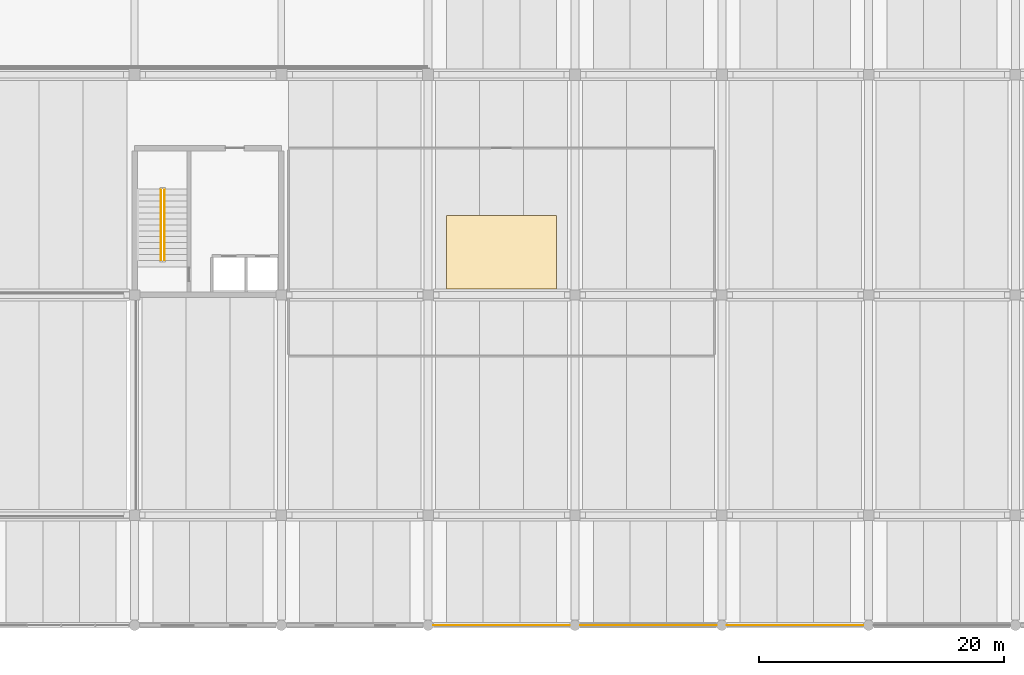
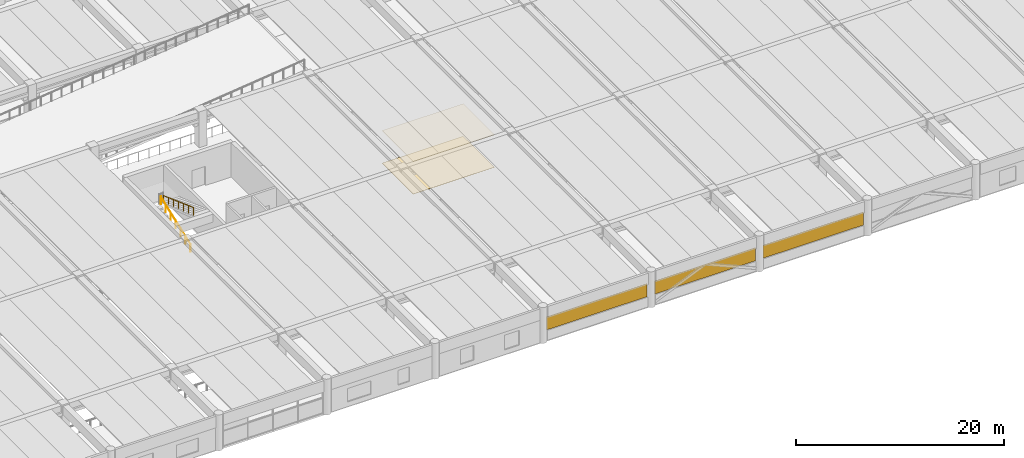
# One storey, part 45 of 50: 3 shading devices, 2 coverings, 2 railings.
"""IFC4 building model written with IfcOpenShell, lengths in metres."""

import ifcopenshell
import ifcopenshell.guid

model = None  # the IFC model being written
_history = None  # IfcOwnerHistory: only IFC2X3 demands one
_inside = {}  # id of a spatial element -> (the spatial element, [elements in it])
_under = {}  # id of a project, library or spatial element -> (it, [spatial elements below it])
_declared = {}  # id of a project -> (the project, [libraries it declares])
_typed = {}  # id of a type object -> (the type object, [elements of that type])
_made_of = {}  # id of a material, layer set ... -> (it, [elements and type objects made of it])


def new_model(schema):
    """Start an empty IFC model of exactly this schema.

    Asked for "IFC4X3", IfcOpenShell would pick the latest addendum, in which some entities
    have other attributes; the version numbers below select the first issue.
    IFC2X3 requires an IfcOwnerHistory on every rooted entity: one is made here for all.
    """
    global model, _history
    if schema == "IFC4X3":
        model = ifcopenshell.file(schema_version=(4, 3, 0, 0))
    else:
        model = ifcopenshell.file(schema=schema)
    _inside.clear()
    _under.clear()
    _declared.clear()
    _typed.clear()
    _made_of.clear()
    _history = None
    if model.schema == "IFC2X3":
        org = make("IfcOrganization", Name="unknown")
        user = make(
            "IfcPersonAndOrganization",
            ThePerson=make("IfcPerson", FamilyName="unknown"),
            TheOrganization=org,
        )
        app = make(
            "IfcApplication",
            ApplicationDeveloper=org,
            Version="unknown",
            ApplicationFullName="unknown",
            ApplicationIdentifier="unknown",
        )
        _history = make(
            "IfcOwnerHistory",
            OwningUser=user,
            OwningApplication=app,
            ChangeAction="ADDED",
            CreationDate=0,
        )
    return model


def make(cls, **values):
    """One entity of the class cls with the attributes given. An attribute that is None is left unset."""
    return model.create_entity(
        cls, **{name: value for name, value in values.items() if value is not None}
    )


def rooted(cls, **values):
    """An entity with a GlobalId (a new one), such as an element, a storey or a relation."""
    return make(cls, GlobalId=ifcopenshell.guid.new(), OwnerHistory=_history, **values)


def si_unit(unit_type, name, prefix=None):
    """IfcSIUnit, for example si_unit("LENGTHUNIT", "METRE", prefix="MILLI")."""
    return make("IfcSIUnit", UnitType=unit_type, Prefix=prefix, Name=name)


def assignment(units):
    """IfcUnitAssignment: the units of a project."""
    return None if units is None else make("IfcUnitAssignment", Units=units)


def point(xyz):
    """IfcCartesianPoint."""
    return None if xyz is None else make("IfcCartesianPoint", Coordinates=xyz)


def direction(xyz):
    """IfcDirection."""
    return None if xyz is None else make("IfcDirection", DirectionRatios=xyz)


def frame(location, z_axis=None, x_axis=None):
    """IfcAxis2Placement3D, a coordinate frame: its origin and axes. An axis left out is left unset."""
    return make(
        "IfcAxis2Placement3D",
        Location=point(location),
        Axis=direction(z_axis),
        RefDirection=direction(x_axis),
    )


def frame_2d(location, x_axis=None):
    """IfcAxis2Placement2D, a coordinate frame in the plane: its origin and x axis."""
    return make(
        "IfcAxis2Placement2D", Location=point(location), RefDirection=direction(x_axis)
    )


def origin():
    """The frame at (0, 0, 0) with its axes left unset."""
    return frame((0.0, 0.0, 0.0))


def origin_2d():
    """The frame at (0, 0) in the plane with its x axis left unset."""
    return frame_2d((0.0, 0.0))


def place(relative_to, where):
    """IfcLocalPlacement: puts the frame where relative to a parent placement (None: the world)."""
    return make(
        "IfcLocalPlacement", PlacementRelTo=relative_to, RelativePlacement=where
    )


def context(
    kind, dimensions, precision=None, world=None, true_north=None, identifier=None
):
    """IfcGeometricRepresentationContext, for example the 3D "Model" context."""
    return make(
        "IfcGeometricRepresentationContext",
        ContextIdentifier=identifier,
        ContextType=kind,
        CoordinateSpaceDimension=dimensions,
        Precision=precision,
        WorldCoordinateSystem=world,
        TrueNorth=true_north,
    )


def subcontext(parent, identifier, kind, view, scale=None):
    """IfcGeometricRepresentationSubContext, for example "Body" below "Model"."""
    return make(
        "IfcGeometricRepresentationSubContext",
        ContextIdentifier=identifier,
        ContextType=kind,
        ParentContext=parent,
        TargetScale=scale,
        TargetView=view,
    )


def project(units=None, contexts=None):
    """IfcProject with its units and contexts."""
    return rooted(
        "IfcProject",
        Name="project",
        RepresentationContexts=contexts,
        UnitsInContext=assignment(units),
    )


def spatial(cls, under=None, at=None, **own):
    """A site, building, storey or space (cls), placed at a placement, below another one or the project."""
    s = rooted(cls, ObjectPlacement=at, **own)
    if under is not None:
        _under.setdefault(under.id(), (under, []))[1].append(s)
    return s


def profile(cls, at=None, kind="AREA", **sizes):
    """A parametric profile (cls). Its sizes go by their IFC names, for example OverallWidth=200.0."""
    return make(cls, ProfileType=kind, Position=at, **sizes)


def rectangle(**sizes):
    """IfcRectangleProfileDef."""
    return profile("IfcRectangleProfileDef", **sizes)


def circle(**sizes):
    """IfcCircleProfileDef."""
    return profile("IfcCircleProfileDef", **sizes)


def extrude(swept, where, along, depth):
    """IfcExtrudedAreaSolid: the profile swept, set in the frame where, extruded along a direction by depth."""
    return make(
        "IfcExtrudedAreaSolid",
        SweptArea=swept,
        Position=where,
        ExtrudedDirection=direction(along),
        Depth=depth,
    )


def shape(context_of_items, identifier, shape_type, items):
    """IfcShapeRepresentation: the items that make up one representation, for example the "Body"."""
    return make(
        "IfcShapeRepresentation",
        ContextOfItems=context_of_items,
        RepresentationIdentifier=identifier,
        RepresentationType=shape_type,
        Items=items,
    )


def material(Name=None, Category=None):
    """IfcMaterial."""
    return make("IfcMaterial", Name=Name, Category=Category)


def layer(
    of_material, thickness, ventilated=None, Name=None, Category=None, Priority=None
):
    """IfcMaterialLayer: one layer of a wall or slab, of a material (None: an air gap)."""
    return make(
        "IfcMaterialLayer",
        Material=of_material,
        LayerThickness=thickness,
        IsVentilated=ventilated,
        Name=Name,
        Category=Category,
        Priority=Priority,
    )


def layer_set(layers, Name=None):
    """IfcMaterialLayerSet."""
    return make("IfcMaterialLayerSet", MaterialLayers=layers, LayerSetName=Name)


def made_of(thing, what):
    """Note that an element or type object is made of a material, layer set ...; save() writes the relation."""
    if what is not None:
        _made_of.setdefault(what.id(), (what, []))[1].append(thing)
    return thing


def type_object(cls, material=None, **own):
    """A type object (cls), such as IfcWallType, which elements share."""
    return made_of(rooted(cls, **own), material)


def element(
    cls,
    number,
    at=None,
    inside=None,
    cuts=None,
    type_object=None,
    material=None,
    context=None,
    identifier="Body",
    shape_type=None,
    held_by="IfcProductDefinitionShape",
    body=None,
    shapes=None,
    **own,
):
    """One element of the class cls, such as IfcWall. Its Tag is "e" and its number.

    at: its placement. inside: the storey or other place that contains it. cuts: it is an
    opening in that element (IfcRelVoidsElement). A single representation is given by context,
    identifier, shape_type and body (its items); several are given by shapes. held_by: the class
    of the entity that holds the representations. save() writes the other relations.
    """
    e = rooted(cls, Tag="e%d" % number, ObjectPlacement=at, **own)
    if body is not None:
        shapes = [shape(context, identifier, shape_type, body)]
    if shapes is not None:
        e.Representation = make(held_by, Representations=shapes)
    if inside is not None:
        _inside.setdefault(inside.id(), (inside, []))[1].append(e)
    if cuts is not None:
        rooted(
            "IfcRelVoidsElement", RelatingBuildingElement=cuts, RelatedOpeningElement=e
        )
    if type_object is not None:
        _typed.setdefault(type_object.id(), (type_object, []))[1].append(e)
    return made_of(e, material)


def aggregate(whole, parts):
    """IfcRelAggregates: a whole, such as a stair, and the parts it consists of."""
    return rooted("IfcRelAggregates", RelatingObject=whole, RelatedObjects=parts)


def save(model, path):
    """Write the relations noted so far, then the file.

    IfcRelAggregates (storeys below a building ...), IfcRelContainedInSpatialStructure (elements
    in a storey), IfcRelDefinesByType, IfcRelAssociatesMaterial and IfcRelDeclares: one each for
    every whole, place, type object, material and project.
    """
    for whole, parts in _under.values():
        aggregate(whole, parts)
    for where, things in _inside.values():
        rooted(
            "IfcRelContainedInSpatialStructure",
            RelatedElements=things,
            RelatingStructure=where,
        )
    for kind, things in _typed.values():
        rooted("IfcRelDefinesByType", RelatedObjects=things, RelatingType=kind)
    for what, things in _made_of.values():
        rooted("IfcRelAssociatesMaterial", RelatedObjects=things, RelatingMaterial=what)
    for by, libraries in _declared.values():
        rooted("IfcRelDeclares", RelatingContext=by, RelatedDefinitions=libraries)
    model.write(path)


model = new_model("IFC4")

# Units and contexts
model_context = context("Model", 3, precision=1e-05, world=origin(), true_north=direction((0.0, 1.0)))
body_context = subcontext(model_context, "Body", "Model", "MODEL_VIEW")
ifc_project = project(units=[si_unit("LENGTHUNIT", "METRE"), si_unit("AREAUNIT", "SQUARE_METRE"), si_unit("VOLUMEUNIT", "CUBIC_METRE"), si_unit("PLANEANGLEUNIT", "RADIAN"), si_unit("MASSUNIT", "GRAM", prefix="KILO")], contexts=[model_context])

# Site, building, storey
site_placement = place(None, origin())
site = spatial("IfcSite", under=ifc_project, at=site_placement, CompositionType="ELEMENT")
building_placement = place(site_placement, origin())
building = spatial("IfcBuilding", under=site, at=building_placement, Name="Girod Span Mobility Hub", CompositionType="ELEMENT")
storey_placement = place(building_placement, frame((0.0, 0.0, 5.39990234375)))
storey = spatial("IfcBuildingStorey", under=building, at=storey_placement, Name="L01", CompositionType="ELEMENT", Elevation=5.39990234375)

# Coverings
ifc_material_1 = material(Name="Perforated Mineral-Fibre Acoustic Ceiling Tile", Category="mineral")
ifc_layer_1 = layer(ifc_material_1, 0.044921875)
ifc_layer_set_1 = layer_set([ifc_layer_1], Name="Perforated Mineral-Fibre Acoustic Ceiling Tile")
covering_type_1 = type_object("IfcCoveringType", Name="COV-CLG-900X600", PredefinedType="CEILING", material=ifc_layer_set_1)
covering_1_placement = place(storey_placement, frame((102.0, 30.5, 3.80517578125), z_axis=(0.0, 0.0, 1.0), x_axis=(1.0, 0.0, 0.0)))
element("IfcCovering", 1, at=covering_1_placement, inside=storey, type_object=covering_type_1, Name="Transit Concourse Overlook Lounge Acoustic Ceiling", PredefinedType="CEILING", context=body_context, shape_type="SweptSolid", body=[
    extrude(rectangle(XDim=9.0, YDim=6.0, at=origin_2d()), origin(), (0.0, 0.0, 1.0), 0.044921875),
])
ifc_material_2 = material(Name="Epoxy Terrazzo and Raised Access Flooring", Category="polymer")
ifc_layer_2 = layer(ifc_material_2, 0.030029296875)
ifc_layer_set_2 = layer_set([ifc_layer_2], Name="Epoxy Terrazzo and Raised Access Flooring")
covering_type_2 = type_object("IfcCoveringType", Name="COV-FLR-900X600", PredefinedType="FLOORING", material=ifc_layer_set_2)
covering_2_placement = place(storey_placement, frame((102.0, 30.5, 0.0), z_axis=(0.0, 0.0, 1.0), x_axis=(1.0, 0.0, 0.0)))
element("IfcCovering", 2, at=covering_2_placement, inside=storey, type_object=covering_type_2, Name="Transit Concourse Overlook Lounge Floor Finish", PredefinedType="FLOORING", context=body_context, shape_type="SweptSolid", body=[
    extrude(rectangle(XDim=9.0, YDim=6.0, at=origin_2d()), origin(), (0.0, 0.0, 1.0), 0.030029296875),
])

# Railings
ifc_material_3 = material(Name="Painted Galvanised Steel", Category="steel")
ifc_layer_3 = layer(ifc_material_3, 0.050048828125)
ifc_layer_set_3 = layer_set([ifc_layer_3], Name="Painted Galvanised Steel")
railing_type = type_object("IfcRailingType", Name="RL-HR-920", PredefinedType="HANDRAIL", material=ifc_layer_set_3)
railing_1_placement = place(storey_placement, frame((74.14990234375, 29.860107421875, 0.0)))
element("IfcRailing", 3, at=railing_1_placement, inside=storey, type_object=railing_type, Name="Stair ST-3 Flight 1 Handrail L01", PredefinedType="HANDRAIL", context=body_context, shape_type="SweptSolid", body=[
    extrude(circle(Radius=0.02392578125, at=origin_2d()), frame((0.0, 0.0, 0.89599609375), z_axis=(0.0, 0.939310406204, 0.343068449141), x_axis=(-1.0, 0.0, 0.0)), (0.0, 0.0, 1.0), 6.12158203125),
    extrude(circle(Radius=0.02099609375, at=origin_2d()), origin(), (0.0, 0.0, 1.0), 0.871826171875),
    extrude(circle(Radius=0.02099609375, at=origin_2d()), frame((0.0, 0.958251953125, 0.35009765625)), (0.0, 0.0, 1.0), 0.871826171875),
    extrude(circle(Radius=0.02099609375, at=origin_2d()), frame((0.0, 1.916748046875, 0.699951171875)), (0.0, 0.0, 1.0), 0.871826171875),
    extrude(circle(Radius=0.02099609375, at=origin_2d()), frame((0.0, 2.875, 1.050048828125)), (0.0, 0.0, 1.0), 0.871826171875),
    extrude(circle(Radius=0.02099609375, at=origin_2d()), frame((0.0, 3.833251953125, 1.400146484375)), (0.0, 0.0, 1.0), 0.871826171875),
    extrude(circle(Radius=0.02099609375, at=origin_2d()), frame((0.0, 4.791748046875, 1.75)), (0.0, 0.0, 1.0), 0.871826171875),
    extrude(circle(Radius=0.02099609375, at=origin_2d()), frame((0.0, 5.75, 2.10009765625)), (0.0, 0.0, 1.0), 0.871826171875),
])
railing_2_placement = place(storey_placement, frame((74.449951171875, 35.610107421875, 2.10009765625)))
element("IfcRailing", 4, at=railing_2_placement, inside=storey, type_object=railing_type, Name="Stair ST-3 Flight 2 Handrail L01", PredefinedType="HANDRAIL", context=body_context, shape_type="SweptSolid", body=[
    extrude(circle(Radius=0.02392578125, at=origin_2d()), frame((0.0, 0.0, 0.89599609375), z_axis=(0.0, -0.939310406204, 0.343068449141), x_axis=(1.0, 0.0, 0.0)), (0.0, 0.0, 1.0), 6.12158203125),
    extrude(circle(Radius=0.02099609375, at=origin_2d()), origin(), (0.0, 0.0, 1.0), 0.871826171875),
    extrude(circle(Radius=0.02099609375, at=origin_2d()), frame((0.0, -0.958251953125, 0.35009765625)), (0.0, 0.0, 1.0), 0.871826171875),
    extrude(circle(Radius=0.02099609375, at=origin_2d()), frame((0.0, -1.916748046875, 0.699951171875)), (0.0, 0.0, 1.0), 0.871826171875),
    extrude(circle(Radius=0.02099609375, at=origin_2d()), frame((0.0, -2.875, 1.050048828125)), (0.0, 0.0, 1.0), 0.871826171875),
    extrude(circle(Radius=0.02099609375, at=origin_2d()), frame((0.0, -3.833251953125, 1.400146484375)), (0.0, 0.0, 1.0), 0.871826171875),
    extrude(circle(Radius=0.02099609375, at=origin_2d()), frame((0.0, -4.791748046875, 1.75)), (0.0, 0.0, 1.0), 0.871826171875),
    extrude(circle(Radius=0.02099609375, at=origin_2d()), frame((0.0, -5.75, 2.10009765625)), (0.0, 0.0, 1.0), 0.871826171875),
])

# Shading devices
ifc_material_4 = material(Name="Aluminium 6063-T6", Category="aluminium")
ifc_layer_4 = layer(ifc_material_4, 0.02392578125)
ifc_layer_set_4 = layer_set([ifc_layer_4], Name="Aluminium 6063-T6")
shading_device_type = type_object("IfcShadingDeviceType", Name="SHD-LVR-11154X1540X24", PredefinedType="USERDEFINED", material=ifc_layer_set_4)
for number, where, z_axis, x_axis, name in (
    (5, (102.0, 0.0, 1.150146484375), (0.0, 0.0, 1.0), (1.0, 0.0, 0.0), "Ventilation Louvre Band S-9 L01"),
    (6, (114.0, 0.0, 1.150146484375), (0.0, 0.0, 1.0), (1.0, 0.0, 0.0), "Ventilation Louvre Band S-10 L01"),
    (7, (126.0, 0.0, 1.150146484375), (0.0, 0.0, 1.0), (1.0, 0.0, 0.0), "Ventilation Louvre Band S-11 L01"),
):
    element("IfcShadingDevice", number, at=place(storey_placement, frame(where, z_axis=z_axis, x_axis=x_axis)), inside=storey, type_object=shading_device_type, Name=name, ObjectType="LOUVER", PredefinedType="USERDEFINED", context=body_context, shape_type="SweptSolid", body=[
        extrude(rectangle(XDim=11.154052734375, YDim=0.02392578125, at=origin_2d()), origin(), (0.0, 0.0, 1.0), 1.5400390625),
    ])

save(model, "model.ifc")
